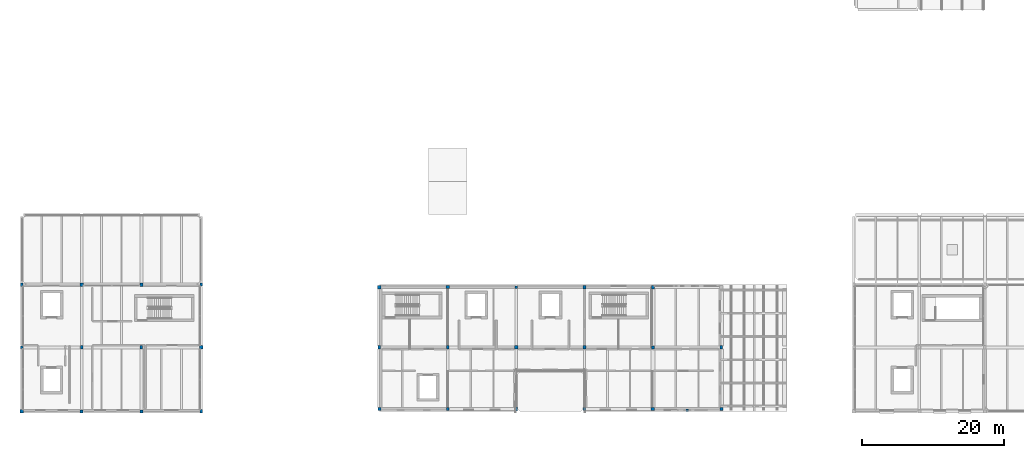
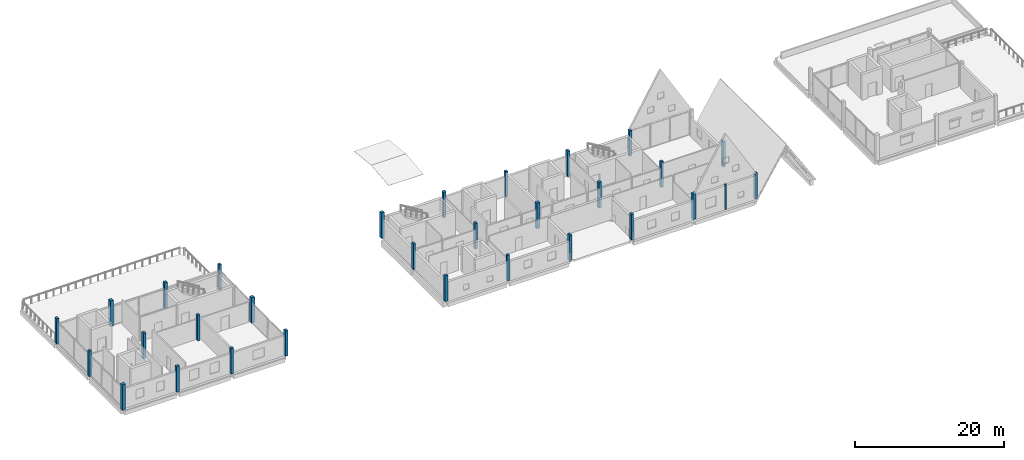
# One storey, part 1 of 23: 30 columns.
"""IFC4 building model written with IfcOpenShell, lengths in metres."""

import ifcopenshell
import ifcopenshell.guid

model = None  # the IFC model being written
_history = None  # IfcOwnerHistory: only IFC2X3 demands one
_inside = {}  # id of a spatial element -> (the spatial element, [elements in it])
_under = {}  # id of a project, library or spatial element -> (it, [spatial elements below it])
_declared = {}  # id of a project -> (the project, [libraries it declares])
_typed = {}  # id of a type object -> (the type object, [elements of that type])
_made_of = {}  # id of a material, layer set ... -> (it, [elements and type objects made of it])


def new_model(schema):
    """Start an empty IFC model of exactly this schema.

    Asked for "IFC4X3", IfcOpenShell would pick the latest addendum, in which some entities
    have other attributes; the version numbers below select the first issue.
    IFC2X3 requires an IfcOwnerHistory on every rooted entity: one is made here for all.
    """
    global model, _history
    if schema == "IFC4X3":
        model = ifcopenshell.file(schema_version=(4, 3, 0, 0))
    else:
        model = ifcopenshell.file(schema=schema)
    _inside.clear()
    _under.clear()
    _declared.clear()
    _typed.clear()
    _made_of.clear()
    _history = None
    if model.schema == "IFC2X3":
        org = make("IfcOrganization", Name="unknown")
        user = make(
            "IfcPersonAndOrganization",
            ThePerson=make("IfcPerson", FamilyName="unknown"),
            TheOrganization=org,
        )
        app = make(
            "IfcApplication",
            ApplicationDeveloper=org,
            Version="unknown",
            ApplicationFullName="unknown",
            ApplicationIdentifier="unknown",
        )
        _history = make(
            "IfcOwnerHistory",
            OwningUser=user,
            OwningApplication=app,
            ChangeAction="ADDED",
            CreationDate=0,
        )
    return model


def make(cls, **values):
    """One entity of the class cls with the attributes given. An attribute that is None is left unset."""
    return model.create_entity(
        cls, **{name: value for name, value in values.items() if value is not None}
    )


def rooted(cls, **values):
    """An entity with a GlobalId (a new one), such as an element, a storey or a relation."""
    return make(cls, GlobalId=ifcopenshell.guid.new(), OwnerHistory=_history, **values)


def si_unit(unit_type, name, prefix=None):
    """IfcSIUnit, for example si_unit("LENGTHUNIT", "METRE", prefix="MILLI")."""
    return make("IfcSIUnit", UnitType=unit_type, Prefix=prefix, Name=name)


def assignment(units):
    """IfcUnitAssignment: the units of a project."""
    return None if units is None else make("IfcUnitAssignment", Units=units)


def point(xyz):
    """IfcCartesianPoint."""
    return None if xyz is None else make("IfcCartesianPoint", Coordinates=xyz)


def direction(xyz):
    """IfcDirection."""
    return None if xyz is None else make("IfcDirection", DirectionRatios=xyz)


def frame(location, z_axis=None, x_axis=None):
    """IfcAxis2Placement3D, a coordinate frame: its origin and axes. An axis left out is left unset."""
    return make(
        "IfcAxis2Placement3D",
        Location=point(location),
        Axis=direction(z_axis),
        RefDirection=direction(x_axis),
    )


def frame_2d(location, x_axis=None):
    """IfcAxis2Placement2D, a coordinate frame in the plane: its origin and x axis."""
    return make(
        "IfcAxis2Placement2D", Location=point(location), RefDirection=direction(x_axis)
    )


def origin():
    """The frame at (0, 0, 0) with its axes left unset."""
    return frame((0.0, 0.0, 0.0))


def origin_2d():
    """The frame at (0, 0) in the plane with its x axis left unset."""
    return frame_2d((0.0, 0.0))


def place(relative_to, where):
    """IfcLocalPlacement: puts the frame where relative to a parent placement (None: the world)."""
    return make(
        "IfcLocalPlacement", PlacementRelTo=relative_to, RelativePlacement=where
    )


def context(
    kind, dimensions, precision=None, world=None, true_north=None, identifier=None
):
    """IfcGeometricRepresentationContext, for example the 3D "Model" context."""
    return make(
        "IfcGeometricRepresentationContext",
        ContextIdentifier=identifier,
        ContextType=kind,
        CoordinateSpaceDimension=dimensions,
        Precision=precision,
        WorldCoordinateSystem=world,
        TrueNorth=true_north,
    )


def subcontext(parent, identifier, kind, view, scale=None):
    """IfcGeometricRepresentationSubContext, for example "Body" below "Model"."""
    return make(
        "IfcGeometricRepresentationSubContext",
        ContextIdentifier=identifier,
        ContextType=kind,
        ParentContext=parent,
        TargetScale=scale,
        TargetView=view,
    )


def project(units=None, contexts=None):
    """IfcProject with its units and contexts."""
    return rooted(
        "IfcProject",
        Name="project",
        RepresentationContexts=contexts,
        UnitsInContext=assignment(units),
    )


def spatial(cls, under=None, at=None, **own):
    """A site, building, storey or space (cls), placed at a placement, below another one or the project."""
    s = rooted(cls, ObjectPlacement=at, **own)
    if under is not None:
        _under.setdefault(under.id(), (under, []))[1].append(s)
    return s


def profile(cls, at=None, kind="AREA", **sizes):
    """A parametric profile (cls). Its sizes go by their IFC names, for example OverallWidth=200.0."""
    return make(cls, ProfileType=kind, Position=at, **sizes)


def rectangle(**sizes):
    """IfcRectangleProfileDef."""
    return profile("IfcRectangleProfileDef", **sizes)


def extrude(swept, where, along, depth):
    """IfcExtrudedAreaSolid: the profile swept, set in the frame where, extruded along a direction by depth."""
    return make(
        "IfcExtrudedAreaSolid",
        SweptArea=swept,
        Position=where,
        ExtrudedDirection=direction(along),
        Depth=depth,
    )


def shape(context_of_items, identifier, shape_type, items):
    """IfcShapeRepresentation: the items that make up one representation, for example the "Body"."""
    return make(
        "IfcShapeRepresentation",
        ContextOfItems=context_of_items,
        RepresentationIdentifier=identifier,
        RepresentationType=shape_type,
        Items=items,
    )


def material(Name=None, Category=None):
    """IfcMaterial."""
    return make("IfcMaterial", Name=Name, Category=Category)


def material_profile(
    of_material, cross_section, Name=None, Category=None, Priority=None
):
    """IfcMaterialProfile: a cross section and its material."""
    return make(
        "IfcMaterialProfile",
        Name=Name,
        Material=of_material,
        Profile=cross_section,
        Priority=Priority,
        Category=Category,
    )


def profile_set(profiles, Name=None, composite=None):
    """IfcMaterialProfileSet."""
    return make(
        "IfcMaterialProfileSet",
        Name=Name,
        MaterialProfiles=profiles,
        CompositeProfile=composite,
    )


def made_of(thing, what):
    """Note that an element or type object is made of a material, layer set ...; save() writes the relation."""
    if what is not None:
        _made_of.setdefault(what.id(), (what, []))[1].append(thing)
    return thing


def type_object(cls, material=None, **own):
    """A type object (cls), such as IfcWallType, which elements share."""
    return made_of(rooted(cls, **own), material)


def element(
    cls,
    number,
    at=None,
    inside=None,
    cuts=None,
    type_object=None,
    material=None,
    context=None,
    identifier="Body",
    shape_type=None,
    held_by="IfcProductDefinitionShape",
    body=None,
    shapes=None,
    **own,
):
    """One element of the class cls, such as IfcWall. Its Tag is "e" and its number.

    at: its placement. inside: the storey or other place that contains it. cuts: it is an
    opening in that element (IfcRelVoidsElement). A single representation is given by context,
    identifier, shape_type and body (its items); several are given by shapes. held_by: the class
    of the entity that holds the representations. save() writes the other relations.
    """
    e = rooted(cls, Tag="e%d" % number, ObjectPlacement=at, **own)
    if body is not None:
        shapes = [shape(context, identifier, shape_type, body)]
    if shapes is not None:
        e.Representation = make(held_by, Representations=shapes)
    if inside is not None:
        _inside.setdefault(inside.id(), (inside, []))[1].append(e)
    if cuts is not None:
        rooted(
            "IfcRelVoidsElement", RelatingBuildingElement=cuts, RelatedOpeningElement=e
        )
    if type_object is not None:
        _typed.setdefault(type_object.id(), (type_object, []))[1].append(e)
    return made_of(e, material)


def aggregate(whole, parts):
    """IfcRelAggregates: a whole, such as a stair, and the parts it consists of."""
    return rooted("IfcRelAggregates", RelatingObject=whole, RelatedObjects=parts)


def save(model, path):
    """Write the relations noted so far, then the file.

    IfcRelAggregates (storeys below a building ...), IfcRelContainedInSpatialStructure (elements
    in a storey), IfcRelDefinesByType, IfcRelAssociatesMaterial and IfcRelDeclares: one each for
    every whole, place, type object, material and project.
    """
    for whole, parts in _under.values():
        aggregate(whole, parts)
    for where, things in _inside.values():
        rooted(
            "IfcRelContainedInSpatialStructure",
            RelatedElements=things,
            RelatingStructure=where,
        )
    for kind, things in _typed.values():
        rooted("IfcRelDefinesByType", RelatedObjects=things, RelatingType=kind)
    for what, things in _made_of.values():
        rooted("IfcRelAssociatesMaterial", RelatedObjects=things, RelatingMaterial=what)
    for by, libraries in _declared.values():
        rooted("IfcRelDeclares", RelatingContext=by, RelatedDefinitions=libraries)
    model.write(path)


model = new_model("IFC4")

# Units and contexts
model_context = context("Model", 3, precision=1e-05, world=origin(), true_north=direction((0.0, 1.0)))
body_context = subcontext(model_context, "Body", "Model", "MODEL_VIEW")
ifc_project = project(units=[si_unit("LENGTHUNIT", "METRE"), si_unit("AREAUNIT", "SQUARE_METRE"), si_unit("VOLUMEUNIT", "CUBIC_METRE"), si_unit("PLANEANGLEUNIT", "RADIAN"), si_unit("MASSUNIT", "GRAM", prefix="KILO")], contexts=[model_context])

# Site, building, storey
site_placement = place(None, origin())
site = spatial("IfcSite", under=ifc_project, at=site_placement, CompositionType="ELEMENT")
building_placement = place(site_placement, origin())
building = spatial("IfcBuilding", under=site, at=building_placement, Name="Birchvale Park Specialist Clinic", CompositionType="ELEMENT")
storey_placement = place(building_placement, frame((0.0, 0.0, 18.0)))
storey = spatial("IfcBuildingStorey", under=building, at=storey_placement, Name="L04", CompositionType="ELEMENT", Elevation=18.0)

# Columns
ifc_material = material(Name="Concrete C40/50", Category="concrete")
ifc_material_profile_1 = material_profile(ifc_material, rectangle(XDim=0.47998046875, YDim=0.47998046875, at=origin_2d()), Name="RC-480x480")
ifc_profile_set_1 = profile_set([ifc_material_profile_1], Name="Concrete C40/50")
column_type_1 = type_object("IfcColumnType", Name="COL-EXT-C05", PredefinedType="COLUMN", material=ifc_profile_set_1)
for number, where, z_axis, x_axis, name in (
    (1, (61.39990234375, 34.25, 0.0), (0.0, 0.0, 1.0), (1.0, 0.0, 0.0), "V4 L04 column 3"),
    (2, (99.800048828125, 17.14990234375, 0.0), (0.0, 0.0, 1.0), (1.0, 0.0, 0.0), "V4 L04 column 13"),
):
    element("IfcColumn", number, at=place(storey_placement, frame(where, z_axis=z_axis, x_axis=x_axis)), inside=storey, type_object=column_type_1, Name=name, PredefinedType="COLUMN", context=body_context, shape_type="SweptSolid", body=[
        extrude(rectangle(XDim=0.47998046875, YDim=0.47998046875, at=origin_2d()), origin(), (0.0, 0.0, 1.0), 4.199951171875),
    ])
ifc_material_profile_2 = material_profile(ifc_material, rectangle(XDim=0.429931640625, YDim=0.429931640625, at=origin_2d()), Name="RC-430x430")
ifc_profile_set_2 = profile_set([ifc_material_profile_2], Name="Concrete C40/50")
column_type_2 = type_object("IfcColumnType", Name="COL-EXT-C06", PredefinedType="COLUMN", material=ifc_profile_set_2)
for number, where, z_axis, x_axis, name in (
    (3, (61.39990234375, 17.14990234375, 0.0), (0.0, 0.0, 1.0), (1.0, 0.0, 0.0), "V4 L04 column 1"),
    (4, (71.0, 34.25, 0.0), (0.0, 0.0, 1.0), (1.0, 0.0, 0.0), "V4 L04 column 6"),
    (5, (109.39990234375, 17.14990234375, 0.0), (0.0, 0.0, 1.0), (1.0, 0.0, 0.0), "V4 L04 column 16"),
):
    element("IfcColumn", number, at=place(storey_placement, frame(where, z_axis=z_axis, x_axis=x_axis)), inside=storey, type_object=column_type_2, Name=name, PredefinedType="COLUMN", context=body_context, shape_type="SweptSolid", body=[
        extrude(rectangle(XDim=0.429931640625, YDim=0.429931640625, at=origin_2d()), origin(), (0.0, 0.0, 1.0), 4.199951171875),
    ])
ifc_material_profile_3 = material_profile(ifc_material, rectangle(XDim=0.3798828125, YDim=0.3798828125, at=origin_2d()), Name="RC-380x380")
ifc_profile_set_3 = profile_set([ifc_material_profile_3], Name="Concrete C40/50")
column_type_3 = type_object("IfcColumnType", Name="COL-EXT-C07", PredefinedType="COLUMN", material=ifc_profile_set_3)
for number, where, z_axis, x_axis, name in (
    (6, (71.0, 17.14990234375, 0.0), (0.0, 0.0, 1.0), (1.0, 0.0, 0.0), "V4 L04 column 4"),
    (7, (80.60009765625, 34.25, 0.0), (0.0, 0.0, 1.0), (1.0, 0.0, 0.0), "V4 L04 column 9"),
):
    element("IfcColumn", number, at=place(storey_placement, frame(where, z_axis=z_axis, x_axis=x_axis)), inside=storey, type_object=column_type_3, Name=name, PredefinedType="COLUMN", context=body_context, shape_type="SweptSolid", body=[
        extrude(rectangle(XDim=0.3798828125, YDim=0.3798828125, at=origin_2d()), origin(), (0.0, 0.0, 1.0), 4.199951171875),
    ])
ifc_material_profile_4 = material_profile(ifc_material, rectangle(XDim=0.3701171875, YDim=0.52001953125, at=origin_2d()), Name="RC-370x520")
ifc_profile_set_4 = profile_set([ifc_material_profile_4], Name="Concrete C40/50")
column_type_4 = type_object("IfcColumnType", Name="COL-EXT-C11", PredefinedType="COLUMN", material=ifc_profile_set_4)
for number, where, z_axis, x_axis, name in (
    (8, (80.60009765625, 17.14990234375, 0.0), (0.0, 0.0, 1.0), (1.0, 0.0, 0.0), "V4 L04 column 7"),
    (9, (90.199951171875, 34.25, 0.0), (0.0, 0.0, 1.0), (1.0, 0.0, 0.0), "V4 L04 column 12"),
):
    element("IfcColumn", number, at=place(storey_placement, frame(where, z_axis=z_axis, x_axis=x_axis)), inside=storey, type_object=column_type_4, Name=name, PredefinedType="COLUMN", context=body_context, shape_type="SweptSolid", body=[
        extrude(rectangle(XDim=0.3701171875, YDim=0.52001953125, at=origin_2d()), origin(), (0.0, 0.0, 1.0), 4.199951171875),
    ])
ifc_material_profile_5 = material_profile(ifc_material, rectangle(XDim=0.3701171875, YDim=0.47998046875, at=origin_2d()), Name="RC-370x480")
ifc_profile_set_5 = profile_set([ifc_material_profile_5], Name="Concrete C40/50")
column_type_5 = type_object("IfcColumnType", Name="COL-EXT-C12", PredefinedType="COLUMN", material=ifc_profile_set_5)
for number, where, z_axis, x_axis, name in (
    (10, (90.199951171875, 17.14990234375, 0.0), (0.0, 0.0, 1.0), (1.0, 0.0, 0.0), "V4 L04 column 10"),
    (11, (99.800048828125, 34.25, 0.0), (0.0, 0.0, 1.0), (1.0, 0.0, 0.0), "V4 L04 column 15"),
):
    element("IfcColumn", number, at=place(storey_placement, frame(where, z_axis=z_axis, x_axis=x_axis)), inside=storey, type_object=column_type_5, Name=name, PredefinedType="COLUMN", context=body_context, shape_type="SweptSolid", body=[
        extrude(rectangle(XDim=0.3701171875, YDim=0.47998046875, at=origin_2d()), origin(), (0.0, 0.0, 1.0), 4.199951171875),
    ])
ifc_material_profile_6 = material_profile(ifc_material, rectangle(XDim=0.5, YDim=0.5, at=origin_2d()), Name="RC-500x500")
ifc_profile_set_6 = profile_set([ifc_material_profile_6], Name="Concrete C40/50")
column_type_6 = type_object("IfcColumnType", Name="COL-INT-C05", PredefinedType="COLUMN", material=ifc_profile_set_6)
for number, where, z_axis, x_axis, name in (
    (12, (11.199951171875, 16.800048828125, 0.0), (0.0, 0.0, 1.0), (1.0, 0.0, 0.0), "V2 L04 column 1"),
    (13, (19.60009765625, 34.60009765625, 0.0), (0.0, 0.0, 1.0), (1.0, 0.0, 0.0), "V2 L04 column 6"),
    (14, (36.39990234375, 25.800048828125, 0.0), (0.0, 0.0, 1.0), (1.0, 0.0, 0.0), "V2 L04 column 11"),
    (15, (80.60009765625, 25.800048828125, 0.0), (0.0, 0.0, 1.0), (1.0, 0.0, 0.0), "V4 L04 column 8"),
):
    element("IfcColumn", number, at=place(storey_placement, frame(where, z_axis=z_axis, x_axis=x_axis)), inside=storey, type_object=column_type_6, Name=name, PredefinedType="COLUMN", context=body_context, shape_type="SweptSolid", body=[
        extrude(rectangle(XDim=0.5, YDim=0.5, at=origin_2d()), origin(), (0.0, 0.0, 1.0), 4.199951171875),
    ])
ifc_material_profile_7 = material_profile(ifc_material, rectangle(XDim=0.449951171875, YDim=0.449951171875, at=origin_2d()), Name="RC-450x450")
ifc_profile_set_7 = profile_set([ifc_material_profile_7], Name="Concrete C40/50")
column_type_7 = type_object("IfcColumnType", Name="COL-INT-C06", PredefinedType="COLUMN", material=ifc_profile_set_7)
for number, where, z_axis, x_axis, name in (
    (16, (19.60009765625, 16.800048828125, 0.0), (0.0, 0.0, 1.0), (1.0, 0.0, 0.0), "V2 L04 column 4"),
    (17, (28.0, 34.60009765625, 0.0), (0.0, 0.0, 1.0), (1.0, 0.0, 0.0), "V2 L04 column 9"),
    (18, (90.199951171875, 25.800048828125, 0.0), (0.0, 0.0, 1.0), (1.0, 0.0, 0.0), "V4 L04 column 11"),
):
    element("IfcColumn", number, at=place(storey_placement, frame(where, z_axis=z_axis, x_axis=x_axis)), inside=storey, type_object=column_type_7, Name=name, PredefinedType="COLUMN", context=body_context, shape_type="SweptSolid", body=[
        extrude(rectangle(XDim=0.449951171875, YDim=0.449951171875, at=origin_2d()), origin(), (0.0, 0.0, 1.0), 4.199951171875),
    ])
ifc_material_profile_8 = material_profile(ifc_material, rectangle(XDim=0.39990234375, YDim=0.39990234375, at=origin_2d()), Name="RC-400x400")
ifc_profile_set_8 = profile_set([ifc_material_profile_8], Name="Concrete C40/50")
column_type_8 = type_object("IfcColumnType", Name="COL-INT-C07", PredefinedType="COLUMN", material=ifc_profile_set_8)
for number, where, z_axis, x_axis, name in (
    (19, (11.199951171875, 25.800048828125, 0.0), (0.0, 0.0, 1.0), (1.0, 0.0, 0.0), "V2 L04 column 2"),
    (20, (28.0, 16.800048828125, 0.0), (0.0, 0.0, 1.0), (1.0, 0.0, 0.0), "V2 L04 column 7"),
    (21, (36.39990234375, 34.60009765625, 0.0), (0.0, 0.0, 1.0), (1.0, 0.0, 0.0), "V2 L04 column 12"),
    (22, (99.800048828125, 25.800048828125, 0.0), (0.0, 0.0, 1.0), (1.0, 0.0, 0.0), "V4 L04 column 14"),
):
    element("IfcColumn", number, at=place(storey_placement, frame(where, z_axis=z_axis, x_axis=x_axis)), inside=storey, type_object=column_type_8, Name=name, PredefinedType="COLUMN", context=body_context, shape_type="SweptSolid", body=[
        extrude(rectangle(XDim=0.39990234375, YDim=0.39990234375, at=origin_2d()), origin(), (0.0, 0.0, 1.0), 4.199951171875),
    ])
ifc_material_profile_9 = material_profile(ifc_material, rectangle(XDim=0.35009765625, YDim=0.5, at=origin_2d()), Name="RC-350x500")
ifc_profile_set_9 = profile_set([ifc_material_profile_9], Name="Concrete C40/50")
column_type_9 = type_object("IfcColumnType", Name="COL-INT-C11", PredefinedType="COLUMN", material=ifc_profile_set_9)
for number, where, z_axis, x_axis, name in (
    (23, (19.60009765625, 25.800048828125, 0.0), (0.0, 0.0, 1.0), (1.0, 0.0, 0.0), "V2 L04 column 5"),
    (24, (36.39990234375, 16.800048828125, 0.0), (0.0, 0.0, 1.0), (1.0, 0.0, 0.0), "V2 L04 column 10"),
    (25, (61.39990234375, 25.800048828125, 0.0), (0.0, 0.0, 1.0), (1.0, 0.0, 0.0), "V4 L04 column 2"),
    (26, (109.39990234375, 25.800048828125, 0.0), (0.0, 0.0, 1.0), (1.0, 0.0, 0.0), "V4 L04 column 17"),
):
    element("IfcColumn", number, at=place(storey_placement, frame(where, z_axis=z_axis, x_axis=x_axis)), inside=storey, type_object=column_type_9, Name=name, PredefinedType="COLUMN", context=body_context, shape_type="SweptSolid", body=[
        extrude(rectangle(XDim=0.35009765625, YDim=0.5, at=origin_2d()), origin(), (0.0, 0.0, 1.0), 4.199951171875),
    ])
ifc_material_profile_10 = material_profile(ifc_material, rectangle(XDim=0.35009765625, YDim=0.449951171875, at=origin_2d()), Name="RC-350x450")
ifc_profile_set_10 = profile_set([ifc_material_profile_10], Name="Concrete C40/50")
column_type_10 = type_object("IfcColumnType", Name="COL-INT-C12", PredefinedType="COLUMN", material=ifc_profile_set_10)
for number, where, z_axis, x_axis, name in (
    (27, (11.199951171875, 34.60009765625, 0.0), (0.0, 0.0, 1.0), (1.0, 0.0, 0.0), "V2 L04 column 3"),
    (28, (28.0, 25.800048828125, 0.0), (0.0, 0.0, 1.0), (1.0, 0.0, 0.0), "V2 L04 column 8"),
    (29, (71.0, 25.800048828125, 0.0), (0.0, 0.0, 1.0), (1.0, 0.0, 0.0), "V4 L04 column 5"),
):
    element("IfcColumn", number, at=place(storey_placement, frame(where, z_axis=z_axis, x_axis=x_axis)), inside=storey, type_object=column_type_10, Name=name, PredefinedType="COLUMN", context=body_context, shape_type="SweptSolid", body=[
        extrude(rectangle(XDim=0.35009765625, YDim=0.449951171875, at=origin_2d()), origin(), (0.0, 0.0, 1.0), 4.199951171875),
    ])
ifc_material_profile_11 = material_profile(ifc_material, rectangle(XDim=0.25, YDim=0.340087890625, at=origin_2d()), Name="PIL-250x340")
ifc_profile_set_11 = profile_set([ifc_material_profile_11], Name="Concrete C40/50")
column_type_11 = type_object("IfcColumnType", Name="PIL-PL3", PredefinedType="PILASTER", material=ifc_profile_set_11)
column_placement = place(storey_placement, frame((104.60009765625, 16.969970703125, 0.0), z_axis=(0.0, 0.0, 1.0), x_axis=(1.0, 0.0, 0.0)))
element("IfcColumn", 30, at=column_placement, inside=storey, type_object=column_type_11, Name="V4 L04 facade pilaster 20", PredefinedType="PILASTER", context=body_context, shape_type="SweptSolid", body=[
    extrude(rectangle(XDim=0.25, YDim=0.340087890625, at=origin_2d()), origin(), (0.0, 0.0, 1.0), 4.199951171875),
])

save(model, "model.ifc")
